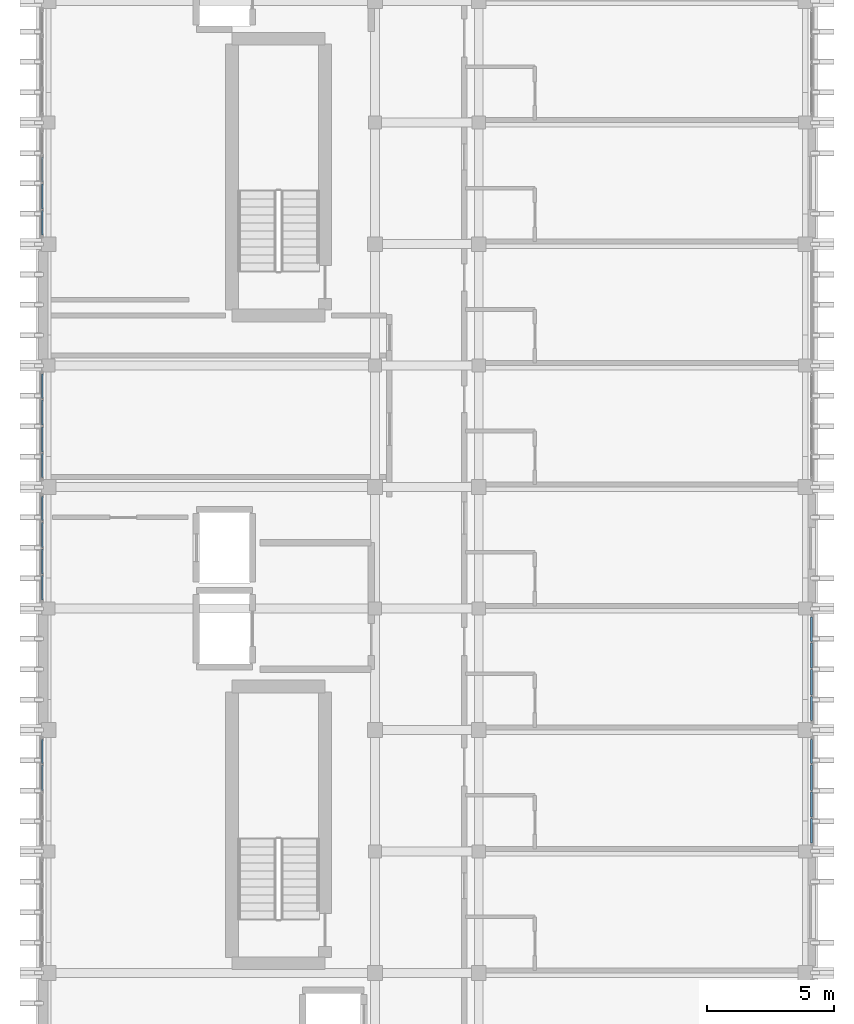
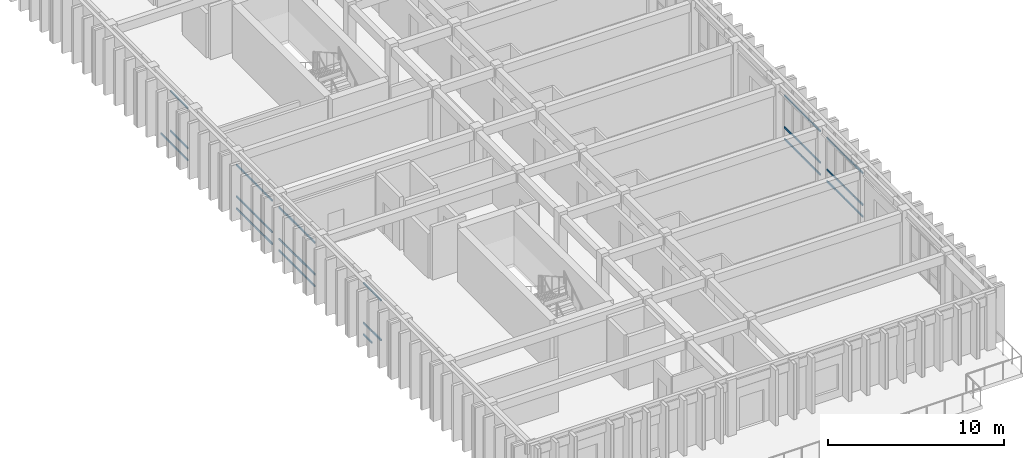
# One storey, part 35 of 49: 60 members, 6 elements without a shape of their own.
"""IFC4 building model written with IfcOpenShell, lengths in metres."""

from ifc_helpers import new_model, si_unit, direction, frame, origin, origin_2d, place, context, subcontext, project, spatial, hollow_rectangle, extrude, material, layer, layer_set, material_profile, profile_set, type_object, element, aggregate, save


model = new_model("IFC4")

# Units and contexts
model_context = context("Model", 3, precision=1e-05, world=origin(), true_north=direction((0.0, 1.0)))
body_context = subcontext(model_context, "Body", "Model", "MODEL_VIEW")
ifc_project = project(units=[si_unit("LENGTHUNIT", "METRE"), si_unit("AREAUNIT", "SQUARE_METRE"), si_unit("VOLUMEUNIT", "CUBIC_METRE"), si_unit("PLANEANGLEUNIT", "RADIAN"), si_unit("MASSUNIT", "GRAM", prefix="KILO")], contexts=[model_context])

# Site, building, storey
site_placement = place(None, origin())
site = spatial("IfcSite", under=ifc_project, at=site_placement, CompositionType="ELEMENT")
building_placement = place(site_placement, origin())
building = spatial("IfcBuilding", under=site, at=building_placement, Name="Nakhvara Creek Congress Hotel", CompositionType="ELEMENT")
storey_placement = place(building_placement, frame((0.0, 0.0, 46.5)))
storey = spatial("IfcBuildingStorey", under=building, at=storey_placement, Name="L11", CompositionType="ELEMENT", Elevation=46.5)

# Curtain wall, members
ifc_material_1 = material(Name="Bronze-anodised aluminium AW-6063-T6 and double-silver low-E glass", Category="aluminium")
ifc_layer = layer(ifc_material_1, 0.199951171875)
ifc_layer_set = layer_set([ifc_layer], Name="Bronze-anodised aluminium AW-6063-T6 and double-silver low-E glass")
curtain_wall_type = type_object("IfcCurtainWallType", Name="CW-HTL-UNIT", PredefinedType="USERDEFINED", material=ifc_layer_set)
curtain_wall_1_placement = place(storey_placement, origin())
curtain_wall_1 = element("IfcCurtainWall", 1, at=curtain_wall_1_placement, inside=storey, type_object=curtain_wall_type, Name="Curtain Wall CW336", ObjectType="UNITISED", PredefinedType="USERDEFINED")
ifc_material_2 = material(Name="Bronze-anodised aluminium AW-6063-T6", Category="aluminium")
ifc_material_profile = material_profile(ifc_material_2, hollow_rectangle(XDim=0.06494140625, YDim=0.1201171875, WallThickness=0.00390625, at=origin_2d()), Name="ALU-TRAN 65x120x4", Category="LoadBearing")
ifc_profile_set = profile_set([ifc_material_profile], Name="Bronze-anodised aluminium AW-6063-T6")
member_type = type_object("IfcMemberType", Name="CW-TRAN-120", PredefinedType="USERDEFINED", material=ifc_profile_set)
member_1_placement = place(storey_placement, frame((179.60009765625, 86.030029296875, 0.032470703125), z_axis=(0.0, -1.0, 0.0), x_axis=(1.0, 0.0, 0.0)))
member_1 = element("IfcMember", 2, at=member_1_placement, type_object=member_type, Name="CW336 transom 1.1", ObjectType="TRANSOM", PredefinedType="USERDEFINED", context=body_context, shape_type="SweptSolid", body=[
    extrude(hollow_rectangle(XDim=0.06494140625, YDim=0.1201171875, WallThickness=0.00390625, at=origin_2d()), origin(), (0.0, 0.0, 1.0), 0.95751953125),
])
member_2_placement = place(storey_placement, frame((179.60009765625, 86.030029296875, 0.85009765625), z_axis=(0.0, -1.0, 0.0), x_axis=(1.0, 0.0, 0.0)))
member_2 = element("IfcMember", 3, at=member_2_placement, type_object=member_type, Name="CW336 transom 1.2", ObjectType="TRANSOM", PredefinedType="USERDEFINED", context=body_context, shape_type="SweptSolid", body=[
    extrude(hollow_rectangle(XDim=0.06494140625, YDim=0.1201171875, WallThickness=0.00390625, at=origin_2d()), origin(), (0.0, 0.0, 1.0), 0.95751953125),
])
member_3_placement = place(storey_placement, frame((179.60009765625, 86.030029296875, 3.03955078125), z_axis=(0.0, -1.0, 0.0), x_axis=(1.0, 0.0, 0.0)))
member_3 = element("IfcMember", 4, at=member_3_placement, type_object=member_type, Name="CW336 transom 1.3", ObjectType="TRANSOM", PredefinedType="USERDEFINED", context=body_context, shape_type="SweptSolid", body=[
    extrude(hollow_rectangle(XDim=0.06494140625, YDim=0.1201171875, WallThickness=0.00390625, at=origin_2d()), origin(), (0.0, 0.0, 1.0), 0.95751953125),
])
member_4_placement = place(storey_placement, frame((179.60009765625, 85.007568359375, 0.032470703125), z_axis=(0.0, -1.0, 0.0), x_axis=(1.0, 0.0, 0.0)))
member_4 = element("IfcMember", 5, at=member_4_placement, type_object=member_type, Name="CW336 transom 2.1", ObjectType="TRANSOM", PredefinedType="USERDEFINED", context=body_context, shape_type="SweptSolid", body=[
    extrude(hollow_rectangle(XDim=0.06494140625, YDim=0.1201171875, WallThickness=0.00390625, at=origin_2d()), origin(), (0.0, 0.0, 1.0), 0.989990234375),
])
member_5_placement = place(storey_placement, frame((179.60009765625, 85.007568359375, 0.85009765625), z_axis=(0.0, -1.0, 0.0), x_axis=(1.0, 0.0, 0.0)))
member_5 = element("IfcMember", 6, at=member_5_placement, type_object=member_type, Name="CW336 transom 2.2", ObjectType="TRANSOM", PredefinedType="USERDEFINED", context=body_context, shape_type="SweptSolid", body=[
    extrude(hollow_rectangle(XDim=0.06494140625, YDim=0.1201171875, WallThickness=0.00390625, at=origin_2d()), origin(), (0.0, 0.0, 1.0), 0.989990234375),
])
member_6_placement = place(storey_placement, frame((179.60009765625, 85.007568359375, 3.03955078125), z_axis=(0.0, -1.0, 0.0), x_axis=(1.0, 0.0, 0.0)))
member_6 = element("IfcMember", 7, at=member_6_placement, type_object=member_type, Name="CW336 transom 2.3", ObjectType="TRANSOM", PredefinedType="USERDEFINED", context=body_context, shape_type="SweptSolid", body=[
    extrude(hollow_rectangle(XDim=0.06494140625, YDim=0.1201171875, WallThickness=0.00390625, at=origin_2d()), origin(), (0.0, 0.0, 1.0), 0.989990234375),
])
member_7_placement = place(storey_placement, frame((179.60009765625, 83.952392578125, 0.032470703125), z_axis=(0.0, -1.0, 0.0), x_axis=(1.0, 0.0, 0.0)))
member_7 = element("IfcMember", 8, at=member_7_placement, type_object=member_type, Name="CW336 transom 3.1", ObjectType="TRANSOM", PredefinedType="USERDEFINED", context=body_context, shape_type="SweptSolid", body=[
    extrude(hollow_rectangle(XDim=0.06494140625, YDim=0.1201171875, WallThickness=0.00390625, at=origin_2d()), origin(), (0.0, 0.0, 1.0), 0.989990234375),
])
member_8_placement = place(storey_placement, frame((179.60009765625, 83.952392578125, 0.85009765625), z_axis=(0.0, -1.0, 0.0), x_axis=(1.0, 0.0, 0.0)))
member_8 = element("IfcMember", 9, at=member_8_placement, type_object=member_type, Name="CW336 transom 3.2", ObjectType="TRANSOM", PredefinedType="USERDEFINED", context=body_context, shape_type="SweptSolid", body=[
    extrude(hollow_rectangle(XDim=0.06494140625, YDim=0.1201171875, WallThickness=0.00390625, at=origin_2d()), origin(), (0.0, 0.0, 1.0), 0.989990234375),
])
member_9_placement = place(storey_placement, frame((179.60009765625, 83.952392578125, 3.03955078125), z_axis=(0.0, -1.0, 0.0), x_axis=(1.0, 0.0, 0.0)))
member_9 = element("IfcMember", 10, at=member_9_placement, type_object=member_type, Name="CW336 transom 3.3", ObjectType="TRANSOM", PredefinedType="USERDEFINED", context=body_context, shape_type="SweptSolid", body=[
    extrude(hollow_rectangle(XDim=0.06494140625, YDim=0.1201171875, WallThickness=0.00390625, at=origin_2d()), origin(), (0.0, 0.0, 1.0), 0.989990234375),
])
member_10_placement = place(storey_placement, frame((179.60009765625, 82.8974609375, 0.032470703125), z_axis=(0.0, -1.0, 0.0), x_axis=(1.0, 0.0, 0.0)))
member_10 = element("IfcMember", 11, at=member_10_placement, type_object=member_type, Name="CW336 transom 4.1", ObjectType="TRANSOM", PredefinedType="USERDEFINED", context=body_context, shape_type="SweptSolid", body=[
    extrude(hollow_rectangle(XDim=0.06494140625, YDim=0.1201171875, WallThickness=0.00390625, at=origin_2d()), origin(), (0.0, 0.0, 1.0), 0.95751953125),
])
member_11_placement = place(storey_placement, frame((179.60009765625, 82.8974609375, 0.85009765625), z_axis=(0.0, -1.0, 0.0), x_axis=(1.0, 0.0, 0.0)))
member_11 = element("IfcMember", 12, at=member_11_placement, type_object=member_type, Name="CW336 transom 4.2", ObjectType="TRANSOM", PredefinedType="USERDEFINED", context=body_context, shape_type="SweptSolid", body=[
    extrude(hollow_rectangle(XDim=0.06494140625, YDim=0.1201171875, WallThickness=0.00390625, at=origin_2d()), origin(), (0.0, 0.0, 1.0), 0.95751953125),
])
member_12_placement = place(storey_placement, frame((179.60009765625, 82.8974609375, 3.03955078125), z_axis=(0.0, -1.0, 0.0), x_axis=(1.0, 0.0, 0.0)))
member_12 = element("IfcMember", 13, at=member_12_placement, type_object=member_type, Name="CW336 transom 4.3", ObjectType="TRANSOM", PredefinedType="USERDEFINED", context=body_context, shape_type="SweptSolid", body=[
    extrude(hollow_rectangle(XDim=0.06494140625, YDim=0.1201171875, WallThickness=0.00390625, at=origin_2d()), origin(), (0.0, 0.0, 1.0), 0.95751953125),
])
aggregate(curtain_wall_1, [member_1, member_2, member_3, member_4, member_5, member_6, member_7, member_8, member_9, member_10, member_11, member_12])

curtain_wall_2_placement = place(storey_placement, origin())
curtain_wall_2 = element("IfcCurtainWall", 14, at=curtain_wall_2_placement, inside=storey, type_object=curtain_wall_type, Name="Curtain Wall CW337", ObjectType="UNITISED", PredefinedType="USERDEFINED")
member_13_placement = place(storey_placement, frame((149.199951171875, 84.017578125, 0.85009765625), z_axis=(0.0, 1.0, 0.0), x_axis=(-1.0, 0.0, 0.0)))
member_13 = element("IfcMember", 15, at=member_13_placement, type_object=member_type, Name="CW337 transom 3.2", ObjectType="TRANSOM", PredefinedType="USERDEFINED", context=body_context, shape_type="SweptSolid", body=[
    extrude(hollow_rectangle(XDim=0.06494140625, YDim=0.1201171875, WallThickness=0.00390625, at=origin_2d()), origin(), (0.0, 0.0, 1.0), 0.989990234375),
])
member_14_placement = place(storey_placement, frame((149.199951171875, 84.017578125, 3.617431640625), z_axis=(0.0, 1.0, 0.0), x_axis=(-1.0, 0.0, 0.0)))
member_14 = element("IfcMember", 16, at=member_14_placement, type_object=member_type, Name="CW337 transom 3.3", ObjectType="TRANSOM", PredefinedType="USERDEFINED", context=body_context, shape_type="SweptSolid", body=[
    extrude(hollow_rectangle(XDim=0.06494140625, YDim=0.1201171875, WallThickness=0.00390625, at=origin_2d()), origin(), (0.0, 0.0, 1.0), 0.989990234375),
])
member_15_placement = place(storey_placement, frame((149.199951171875, 85.072509765625, 0.032470703125), z_axis=(0.0, 1.0, 0.0), x_axis=(-1.0, 0.0, 0.0)))
member_15 = element("IfcMember", 17, at=member_15_placement, type_object=member_type, Name="CW337 transom 4.1", ObjectType="TRANSOM", PredefinedType="USERDEFINED", context=body_context, shape_type="SweptSolid", body=[
    extrude(hollow_rectangle(XDim=0.06494140625, YDim=0.1201171875, WallThickness=0.00390625, at=origin_2d()), origin(), (0.0, 0.0, 1.0), 0.95751953125),
])
member_16_placement = place(storey_placement, frame((149.199951171875, 85.072509765625, 0.85009765625), z_axis=(0.0, 1.0, 0.0), x_axis=(-1.0, 0.0, 0.0)))
member_16 = element("IfcMember", 18, at=member_16_placement, type_object=member_type, Name="CW337 transom 4.2", ObjectType="TRANSOM", PredefinedType="USERDEFINED", context=body_context, shape_type="SweptSolid", body=[
    extrude(hollow_rectangle(XDim=0.06494140625, YDim=0.1201171875, WallThickness=0.00390625, at=origin_2d()), origin(), (0.0, 0.0, 1.0), 0.95751953125),
])
member_17_placement = place(storey_placement, frame((149.199951171875, 85.072509765625, 3.617431640625), z_axis=(0.0, 1.0, 0.0), x_axis=(-1.0, 0.0, 0.0)))
member_17 = element("IfcMember", 19, at=member_17_placement, type_object=member_type, Name="CW337 transom 4.3", ObjectType="TRANSOM", PredefinedType="USERDEFINED", context=body_context, shape_type="SweptSolid", body=[
    extrude(hollow_rectangle(XDim=0.06494140625, YDim=0.1201171875, WallThickness=0.00390625, at=origin_2d()), origin(), (0.0, 0.0, 1.0), 0.95751953125),
])
aggregate(curtain_wall_2, [member_13, member_14, member_15, member_16, member_17])

curtain_wall_3_placement = place(storey_placement, origin())
curtain_wall_3 = element("IfcCurtainWall", 20, at=curtain_wall_3_placement, inside=storey, type_object=curtain_wall_type, Name="Curtain Wall CW338", ObjectType="UNITISED", PredefinedType="USERDEFINED")
member_18_placement = place(storey_placement, frame((179.60009765625, 90.860107421875, 0.032470703125), z_axis=(0.0, -1.0, 0.0), x_axis=(1.0, 0.0, 0.0)))
member_18 = element("IfcMember", 21, at=member_18_placement, type_object=member_type, Name="CW338 transom 1.1", ObjectType="TRANSOM", PredefinedType="USERDEFINED", context=body_context, shape_type="SweptSolid", body=[
    extrude(hollow_rectangle(XDim=0.06494140625, YDim=0.1201171875, WallThickness=0.00390625, at=origin_2d()), origin(), (0.0, 0.0, 1.0), 0.95751953125),
])
member_19_placement = place(storey_placement, frame((179.60009765625, 90.860107421875, 0.85009765625), z_axis=(0.0, -1.0, 0.0), x_axis=(1.0, 0.0, 0.0)))
member_19 = element("IfcMember", 22, at=member_19_placement, type_object=member_type, Name="CW338 transom 1.2", ObjectType="TRANSOM", PredefinedType="USERDEFINED", context=body_context, shape_type="SweptSolid", body=[
    extrude(hollow_rectangle(XDim=0.06494140625, YDim=0.1201171875, WallThickness=0.00390625, at=origin_2d()), origin(), (0.0, 0.0, 1.0), 0.95751953125),
])
member_20_placement = place(storey_placement, frame((179.60009765625, 90.860107421875, 3.03955078125), z_axis=(0.0, -1.0, 0.0), x_axis=(1.0, 0.0, 0.0)))
member_20 = element("IfcMember", 23, at=member_20_placement, type_object=member_type, Name="CW338 transom 1.3", ObjectType="TRANSOM", PredefinedType="USERDEFINED", context=body_context, shape_type="SweptSolid", body=[
    extrude(hollow_rectangle(XDim=0.06494140625, YDim=0.1201171875, WallThickness=0.00390625, at=origin_2d()), origin(), (0.0, 0.0, 1.0), 0.95751953125),
])
member_21_placement = place(storey_placement, frame((179.60009765625, 89.83740234375, 0.032470703125), z_axis=(0.0, -1.0, 0.0), x_axis=(1.0, 0.0, 0.0)))
member_21 = element("IfcMember", 24, at=member_21_placement, type_object=member_type, Name="CW338 transom 2.1", ObjectType="TRANSOM", PredefinedType="USERDEFINED", context=body_context, shape_type="SweptSolid", body=[
    extrude(hollow_rectangle(XDim=0.06494140625, YDim=0.1201171875, WallThickness=0.00390625, at=origin_2d()), origin(), (0.0, 0.0, 1.0), 0.989990234375),
])
member_22_placement = place(storey_placement, frame((179.60009765625, 89.83740234375, 0.85009765625), z_axis=(0.0, -1.0, 0.0), x_axis=(1.0, 0.0, 0.0)))
member_22 = element("IfcMember", 25, at=member_22_placement, type_object=member_type, Name="CW338 transom 2.2", ObjectType="TRANSOM", PredefinedType="USERDEFINED", context=body_context, shape_type="SweptSolid", body=[
    extrude(hollow_rectangle(XDim=0.06494140625, YDim=0.1201171875, WallThickness=0.00390625, at=origin_2d()), origin(), (0.0, 0.0, 1.0), 0.989990234375),
])
member_23_placement = place(storey_placement, frame((179.60009765625, 89.83740234375, 3.03955078125), z_axis=(0.0, -1.0, 0.0), x_axis=(1.0, 0.0, 0.0)))
member_23 = element("IfcMember", 26, at=member_23_placement, type_object=member_type, Name="CW338 transom 2.3", ObjectType="TRANSOM", PredefinedType="USERDEFINED", context=body_context, shape_type="SweptSolid", body=[
    extrude(hollow_rectangle(XDim=0.06494140625, YDim=0.1201171875, WallThickness=0.00390625, at=origin_2d()), origin(), (0.0, 0.0, 1.0), 0.989990234375),
])
member_24_placement = place(storey_placement, frame((179.60009765625, 88.782470703125, 0.032470703125), z_axis=(0.0, -1.0, 0.0), x_axis=(1.0, 0.0, 0.0)))
member_24 = element("IfcMember", 27, at=member_24_placement, type_object=member_type, Name="CW338 transom 3.1", ObjectType="TRANSOM", PredefinedType="USERDEFINED", context=body_context, shape_type="SweptSolid", body=[
    extrude(hollow_rectangle(XDim=0.06494140625, YDim=0.1201171875, WallThickness=0.00390625, at=origin_2d()), origin(), (0.0, 0.0, 1.0), 0.989990234375),
])
member_25_placement = place(storey_placement, frame((179.60009765625, 88.782470703125, 0.85009765625), z_axis=(0.0, -1.0, 0.0), x_axis=(1.0, 0.0, 0.0)))
member_25 = element("IfcMember", 28, at=member_25_placement, type_object=member_type, Name="CW338 transom 3.2", ObjectType="TRANSOM", PredefinedType="USERDEFINED", context=body_context, shape_type="SweptSolid", body=[
    extrude(hollow_rectangle(XDim=0.06494140625, YDim=0.1201171875, WallThickness=0.00390625, at=origin_2d()), origin(), (0.0, 0.0, 1.0), 0.989990234375),
])
member_26_placement = place(storey_placement, frame((179.60009765625, 88.782470703125, 3.03955078125), z_axis=(0.0, -1.0, 0.0), x_axis=(1.0, 0.0, 0.0)))
member_26 = element("IfcMember", 29, at=member_26_placement, type_object=member_type, Name="CW338 transom 3.3", ObjectType="TRANSOM", PredefinedType="USERDEFINED", context=body_context, shape_type="SweptSolid", body=[
    extrude(hollow_rectangle(XDim=0.06494140625, YDim=0.1201171875, WallThickness=0.00390625, at=origin_2d()), origin(), (0.0, 0.0, 1.0), 0.989990234375),
])
member_27_placement = place(storey_placement, frame((179.60009765625, 87.7275390625, 0.032470703125), z_axis=(0.0, -1.0, 0.0), x_axis=(1.0, 0.0, 0.0)))
member_27 = element("IfcMember", 30, at=member_27_placement, type_object=member_type, Name="CW338 transom 4.1", ObjectType="TRANSOM", PredefinedType="USERDEFINED", context=body_context, shape_type="SweptSolid", body=[
    extrude(hollow_rectangle(XDim=0.06494140625, YDim=0.1201171875, WallThickness=0.00390625, at=origin_2d()), origin(), (0.0, 0.0, 1.0), 0.95751953125),
])
member_28_placement = place(storey_placement, frame((179.60009765625, 87.7275390625, 0.85009765625), z_axis=(0.0, -1.0, 0.0), x_axis=(1.0, 0.0, 0.0)))
member_28 = element("IfcMember", 31, at=member_28_placement, type_object=member_type, Name="CW338 transom 4.2", ObjectType="TRANSOM", PredefinedType="USERDEFINED", context=body_context, shape_type="SweptSolid", body=[
    extrude(hollow_rectangle(XDim=0.06494140625, YDim=0.1201171875, WallThickness=0.00390625, at=origin_2d()), origin(), (0.0, 0.0, 1.0), 0.95751953125),
])
member_29_placement = place(storey_placement, frame((179.60009765625, 87.7275390625, 3.03955078125), z_axis=(0.0, -1.0, 0.0), x_axis=(1.0, 0.0, 0.0)))
member_29 = element("IfcMember", 32, at=member_29_placement, type_object=member_type, Name="CW338 transom 4.3", ObjectType="TRANSOM", PredefinedType="USERDEFINED", context=body_context, shape_type="SweptSolid", body=[
    extrude(hollow_rectangle(XDim=0.06494140625, YDim=0.1201171875, WallThickness=0.00390625, at=origin_2d()), origin(), (0.0, 0.0, 1.0), 0.95751953125),
])
aggregate(curtain_wall_3, [member_18, member_19, member_20, member_21, member_22, member_23, member_24, member_25, member_26, member_27, member_28, member_29])

curtain_wall_4_placement = place(storey_placement, origin())
curtain_wall_4 = element("IfcCurtainWall", 33, at=curtain_wall_4_placement, inside=storey, type_object=curtain_wall_type, Name="Curtain Wall CW339", ObjectType="UNITISED", PredefinedType="USERDEFINED")
member_30_placement = place(storey_placement, frame((149.199951171875, 91.5400390625, 0.032470703125), z_axis=(0.0, 1.0, 0.0), x_axis=(-1.0, 0.0, 0.0)))
member_30 = element("IfcMember", 34, at=member_30_placement, type_object=member_type, Name="CW339 transom 1.1", ObjectType="TRANSOM", PredefinedType="USERDEFINED", context=body_context, shape_type="SweptSolid", body=[
    extrude(hollow_rectangle(XDim=0.06494140625, YDim=0.1201171875, WallThickness=0.00390625, at=origin_2d()), origin(), (0.0, 0.0, 1.0), 0.95751953125),
])
member_31_placement = place(storey_placement, frame((149.199951171875, 91.5400390625, 0.85009765625), z_axis=(0.0, 1.0, 0.0), x_axis=(-1.0, 0.0, 0.0)))
member_31 = element("IfcMember", 35, at=member_31_placement, type_object=member_type, Name="CW339 transom 1.2", ObjectType="TRANSOM", PredefinedType="USERDEFINED", context=body_context, shape_type="SweptSolid", body=[
    extrude(hollow_rectangle(XDim=0.06494140625, YDim=0.1201171875, WallThickness=0.00390625, at=origin_2d()), origin(), (0.0, 0.0, 1.0), 0.95751953125),
])
member_32_placement = place(storey_placement, frame((149.199951171875, 91.5400390625, 3.03955078125), z_axis=(0.0, 1.0, 0.0), x_axis=(-1.0, 0.0, 0.0)))
member_32 = element("IfcMember", 36, at=member_32_placement, type_object=member_type, Name="CW339 transom 1.3", ObjectType="TRANSOM", PredefinedType="USERDEFINED", context=body_context, shape_type="SweptSolid", body=[
    extrude(hollow_rectangle(XDim=0.06494140625, YDim=0.1201171875, WallThickness=0.00390625, at=origin_2d()), origin(), (0.0, 0.0, 1.0), 0.95751953125),
])
member_33_placement = place(storey_placement, frame((149.199951171875, 92.5625, 0.032470703125), z_axis=(0.0, 1.0, 0.0), x_axis=(-1.0, 0.0, 0.0)))
member_33 = element("IfcMember", 37, at=member_33_placement, type_object=member_type, Name="CW339 transom 2.1", ObjectType="TRANSOM", PredefinedType="USERDEFINED", context=body_context, shape_type="SweptSolid", body=[
    extrude(hollow_rectangle(XDim=0.06494140625, YDim=0.1201171875, WallThickness=0.00390625, at=origin_2d()), origin(), (0.0, 0.0, 1.0), 0.989990234375),
])
member_34_placement = place(storey_placement, frame((149.199951171875, 92.5625, 0.85009765625), z_axis=(0.0, 1.0, 0.0), x_axis=(-1.0, 0.0, 0.0)))
member_34 = element("IfcMember", 38, at=member_34_placement, type_object=member_type, Name="CW339 transom 2.2", ObjectType="TRANSOM", PredefinedType="USERDEFINED", context=body_context, shape_type="SweptSolid", body=[
    extrude(hollow_rectangle(XDim=0.06494140625, YDim=0.1201171875, WallThickness=0.00390625, at=origin_2d()), origin(), (0.0, 0.0, 1.0), 0.989990234375),
])
member_35_placement = place(storey_placement, frame((149.199951171875, 92.5625, 3.03955078125), z_axis=(0.0, 1.0, 0.0), x_axis=(-1.0, 0.0, 0.0)))
member_35 = element("IfcMember", 39, at=member_35_placement, type_object=member_type, Name="CW339 transom 2.3", ObjectType="TRANSOM", PredefinedType="USERDEFINED", context=body_context, shape_type="SweptSolid", body=[
    extrude(hollow_rectangle(XDim=0.06494140625, YDim=0.1201171875, WallThickness=0.00390625, at=origin_2d()), origin(), (0.0, 0.0, 1.0), 0.989990234375),
])
member_36_placement = place(storey_placement, frame((149.199951171875, 93.617431640625, 0.032470703125), z_axis=(0.0, 1.0, 0.0), x_axis=(-1.0, 0.0, 0.0)))
member_36 = element("IfcMember", 40, at=member_36_placement, type_object=member_type, Name="CW339 transom 3.1", ObjectType="TRANSOM", PredefinedType="USERDEFINED", context=body_context, shape_type="SweptSolid", body=[
    extrude(hollow_rectangle(XDim=0.06494140625, YDim=0.1201171875, WallThickness=0.00390625, at=origin_2d()), origin(), (0.0, 0.0, 1.0), 0.989990234375),
])
member_37_placement = place(storey_placement, frame((149.199951171875, 93.617431640625, 0.85009765625), z_axis=(0.0, 1.0, 0.0), x_axis=(-1.0, 0.0, 0.0)))
member_37 = element("IfcMember", 41, at=member_37_placement, type_object=member_type, Name="CW339 transom 3.2", ObjectType="TRANSOM", PredefinedType="USERDEFINED", context=body_context, shape_type="SweptSolid", body=[
    extrude(hollow_rectangle(XDim=0.06494140625, YDim=0.1201171875, WallThickness=0.00390625, at=origin_2d()), origin(), (0.0, 0.0, 1.0), 0.989990234375),
])
member_38_placement = place(storey_placement, frame((149.199951171875, 93.617431640625, 3.03955078125), z_axis=(0.0, 1.0, 0.0), x_axis=(-1.0, 0.0, 0.0)))
member_38 = element("IfcMember", 42, at=member_38_placement, type_object=member_type, Name="CW339 transom 3.3", ObjectType="TRANSOM", PredefinedType="USERDEFINED", context=body_context, shape_type="SweptSolid", body=[
    extrude(hollow_rectangle(XDim=0.06494140625, YDim=0.1201171875, WallThickness=0.00390625, at=origin_2d()), origin(), (0.0, 0.0, 1.0), 0.989990234375),
])
member_39_placement = place(storey_placement, frame((149.199951171875, 94.672607421875, 0.032470703125), z_axis=(0.0, 1.0, 0.0), x_axis=(-1.0, 0.0, 0.0)))
member_39 = element("IfcMember", 43, at=member_39_placement, type_object=member_type, Name="CW339 transom 4.1", ObjectType="TRANSOM", PredefinedType="USERDEFINED", context=body_context, shape_type="SweptSolid", body=[
    extrude(hollow_rectangle(XDim=0.06494140625, YDim=0.1201171875, WallThickness=0.00390625, at=origin_2d()), origin(), (0.0, 0.0, 1.0), 0.957275390625),
])
member_40_placement = place(storey_placement, frame((149.199951171875, 94.672607421875, 0.85009765625), z_axis=(0.0, 1.0, 0.0), x_axis=(-1.0, 0.0, 0.0)))
member_40 = element("IfcMember", 44, at=member_40_placement, type_object=member_type, Name="CW339 transom 4.2", ObjectType="TRANSOM", PredefinedType="USERDEFINED", context=body_context, shape_type="SweptSolid", body=[
    extrude(hollow_rectangle(XDim=0.06494140625, YDim=0.1201171875, WallThickness=0.00390625, at=origin_2d()), origin(), (0.0, 0.0, 1.0), 0.957275390625),
])
member_41_placement = place(storey_placement, frame((149.199951171875, 94.672607421875, 3.03955078125), z_axis=(0.0, 1.0, 0.0), x_axis=(-1.0, 0.0, 0.0)))
member_41 = element("IfcMember", 45, at=member_41_placement, type_object=member_type, Name="CW339 transom 4.3", ObjectType="TRANSOM", PredefinedType="USERDEFINED", context=body_context, shape_type="SweptSolid", body=[
    extrude(hollow_rectangle(XDim=0.06494140625, YDim=0.1201171875, WallThickness=0.00390625, at=origin_2d()), origin(), (0.0, 0.0, 1.0), 0.957275390625),
])
aggregate(curtain_wall_4, [member_30, member_31, member_32, member_33, member_34, member_35, member_36, member_37, member_38, member_39, member_40, member_41])

curtain_wall_5_placement = place(storey_placement, origin())
curtain_wall_5 = element("IfcCurtainWall", 46, at=curtain_wall_5_placement, inside=storey, type_object=curtain_wall_type, Name="Curtain Wall CW341", ObjectType="UNITISED", PredefinedType="USERDEFINED")
member_42_placement = place(storey_placement, frame((149.199951171875, 96.3701171875, 0.032470703125), z_axis=(0.0, 1.0, 0.0), x_axis=(-1.0, 0.0, 0.0)))
member_42 = element("IfcMember", 47, at=member_42_placement, type_object=member_type, Name="CW341 transom 1.1", ObjectType="TRANSOM", PredefinedType="USERDEFINED", context=body_context, shape_type="SweptSolid", body=[
    extrude(hollow_rectangle(XDim=0.06494140625, YDim=0.1201171875, WallThickness=0.00390625, at=origin_2d()), origin(), (0.0, 0.0, 1.0), 0.957275390625),
])
member_43_placement = place(storey_placement, frame((149.199951171875, 96.3701171875, 0.85009765625), z_axis=(0.0, 1.0, 0.0), x_axis=(-1.0, 0.0, 0.0)))
member_43 = element("IfcMember", 48, at=member_43_placement, type_object=member_type, Name="CW341 transom 1.2", ObjectType="TRANSOM", PredefinedType="USERDEFINED", context=body_context, shape_type="SweptSolid", body=[
    extrude(hollow_rectangle(XDim=0.06494140625, YDim=0.1201171875, WallThickness=0.00390625, at=origin_2d()), origin(), (0.0, 0.0, 1.0), 0.957275390625),
])
member_44_placement = place(storey_placement, frame((149.199951171875, 96.3701171875, 3.03955078125), z_axis=(0.0, 1.0, 0.0), x_axis=(-1.0, 0.0, 0.0)))
member_44 = element("IfcMember", 49, at=member_44_placement, type_object=member_type, Name="CW341 transom 1.3", ObjectType="TRANSOM", PredefinedType="USERDEFINED", context=body_context, shape_type="SweptSolid", body=[
    extrude(hollow_rectangle(XDim=0.06494140625, YDim=0.1201171875, WallThickness=0.00390625, at=origin_2d()), origin(), (0.0, 0.0, 1.0), 0.957275390625),
])
member_45_placement = place(storey_placement, frame((149.199951171875, 97.392578125, 0.032470703125), z_axis=(0.0, 1.0, 0.0), x_axis=(-1.0, 0.0, 0.0)))
member_45 = element("IfcMember", 50, at=member_45_placement, type_object=member_type, Name="CW341 transom 2.1", ObjectType="TRANSOM", PredefinedType="USERDEFINED", context=body_context, shape_type="SweptSolid", body=[
    extrude(hollow_rectangle(XDim=0.06494140625, YDim=0.1201171875, WallThickness=0.00390625, at=origin_2d()), origin(), (0.0, 0.0, 1.0), 0.989990234375),
])
member_46_placement = place(storey_placement, frame((149.199951171875, 97.392578125, 0.85009765625), z_axis=(0.0, 1.0, 0.0), x_axis=(-1.0, 0.0, 0.0)))
member_46 = element("IfcMember", 51, at=member_46_placement, type_object=member_type, Name="CW341 transom 2.2", ObjectType="TRANSOM", PredefinedType="USERDEFINED", context=body_context, shape_type="SweptSolid", body=[
    extrude(hollow_rectangle(XDim=0.06494140625, YDim=0.1201171875, WallThickness=0.00390625, at=origin_2d()), origin(), (0.0, 0.0, 1.0), 0.989990234375),
])
member_47_placement = place(storey_placement, frame((149.199951171875, 97.392578125, 3.03955078125), z_axis=(0.0, 1.0, 0.0), x_axis=(-1.0, 0.0, 0.0)))
member_47 = element("IfcMember", 52, at=member_47_placement, type_object=member_type, Name="CW341 transom 2.3", ObjectType="TRANSOM", PredefinedType="USERDEFINED", context=body_context, shape_type="SweptSolid", body=[
    extrude(hollow_rectangle(XDim=0.06494140625, YDim=0.1201171875, WallThickness=0.00390625, at=origin_2d()), origin(), (0.0, 0.0, 1.0), 0.989990234375),
])
member_48_placement = place(storey_placement, frame((149.199951171875, 98.447509765625, 0.032470703125), z_axis=(0.0, 1.0, 0.0), x_axis=(-1.0, 0.0, 0.0)))
member_48 = element("IfcMember", 53, at=member_48_placement, type_object=member_type, Name="CW341 transom 3.1", ObjectType="TRANSOM", PredefinedType="USERDEFINED", context=body_context, shape_type="SweptSolid", body=[
    extrude(hollow_rectangle(XDim=0.06494140625, YDim=0.1201171875, WallThickness=0.00390625, at=origin_2d()), origin(), (0.0, 0.0, 1.0), 0.989990234375),
])
member_49_placement = place(storey_placement, frame((149.199951171875, 98.447509765625, 0.85009765625), z_axis=(0.0, 1.0, 0.0), x_axis=(-1.0, 0.0, 0.0)))
member_49 = element("IfcMember", 54, at=member_49_placement, type_object=member_type, Name="CW341 transom 3.2", ObjectType="TRANSOM", PredefinedType="USERDEFINED", context=body_context, shape_type="SweptSolid", body=[
    extrude(hollow_rectangle(XDim=0.06494140625, YDim=0.1201171875, WallThickness=0.00390625, at=origin_2d()), origin(), (0.0, 0.0, 1.0), 0.989990234375),
])
member_50_placement = place(storey_placement, frame((149.199951171875, 98.447509765625, 3.03955078125), z_axis=(0.0, 1.0, 0.0), x_axis=(-1.0, 0.0, 0.0)))
member_50 = element("IfcMember", 55, at=member_50_placement, type_object=member_type, Name="CW341 transom 3.3", ObjectType="TRANSOM", PredefinedType="USERDEFINED", context=body_context, shape_type="SweptSolid", body=[
    extrude(hollow_rectangle(XDim=0.06494140625, YDim=0.1201171875, WallThickness=0.00390625, at=origin_2d()), origin(), (0.0, 0.0, 1.0), 0.989990234375),
])
member_51_placement = place(storey_placement, frame((149.199951171875, 99.50244140625, 0.032470703125), z_axis=(0.0, 1.0, 0.0), x_axis=(-1.0, 0.0, 0.0)))
member_51 = element("IfcMember", 56, at=member_51_placement, type_object=member_type, Name="CW341 transom 4.1", ObjectType="TRANSOM", PredefinedType="USERDEFINED", context=body_context, shape_type="SweptSolid", body=[
    extrude(hollow_rectangle(XDim=0.06494140625, YDim=0.1201171875, WallThickness=0.00390625, at=origin_2d()), origin(), (0.0, 0.0, 1.0), 0.95751953125),
])
member_52_placement = place(storey_placement, frame((149.199951171875, 99.50244140625, 0.85009765625), z_axis=(0.0, 1.0, 0.0), x_axis=(-1.0, 0.0, 0.0)))
member_52 = element("IfcMember", 57, at=member_52_placement, type_object=member_type, Name="CW341 transom 4.2", ObjectType="TRANSOM", PredefinedType="USERDEFINED", context=body_context, shape_type="SweptSolid", body=[
    extrude(hollow_rectangle(XDim=0.06494140625, YDim=0.1201171875, WallThickness=0.00390625, at=origin_2d()), origin(), (0.0, 0.0, 1.0), 0.95751953125),
])
member_53_placement = place(storey_placement, frame((149.199951171875, 99.50244140625, 3.03955078125), z_axis=(0.0, 1.0, 0.0), x_axis=(-1.0, 0.0, 0.0)))
member_53 = element("IfcMember", 58, at=member_53_placement, type_object=member_type, Name="CW341 transom 4.3", ObjectType="TRANSOM", PredefinedType="USERDEFINED", context=body_context, shape_type="SweptSolid", body=[
    extrude(hollow_rectangle(XDim=0.06494140625, YDim=0.1201171875, WallThickness=0.00390625, at=origin_2d()), origin(), (0.0, 0.0, 1.0), 0.95751953125),
])
aggregate(curtain_wall_5, [member_42, member_43, member_44, member_45, member_46, member_47, member_48, member_49, member_50, member_51, member_52, member_53])

curtain_wall_6_placement = place(storey_placement, origin())
curtain_wall_6 = element("IfcCurtainWall", 59, at=curtain_wall_6_placement, inside=storey, type_object=curtain_wall_type, Name="Curtain Wall CW343", ObjectType="UNITISED", PredefinedType="USERDEFINED")
member_54_placement = place(storey_placement, frame((149.199951171875, 105.969970703125, 0.032470703125), z_axis=(0.0, 1.0, 0.0), x_axis=(-1.0, 0.0, 0.0)))
member_54 = element("IfcMember", 60, at=member_54_placement, type_object=member_type, Name="CW343 transom 1.1", ObjectType="TRANSOM", PredefinedType="USERDEFINED", context=body_context, shape_type="SweptSolid", body=[
    extrude(hollow_rectangle(XDim=0.06494140625, YDim=0.1201171875, WallThickness=0.00390625, at=origin_2d()), origin(), (0.0, 0.0, 1.0), 0.95751953125),
])
member_55_placement = place(storey_placement, frame((149.199951171875, 105.969970703125, 0.85009765625), z_axis=(0.0, 1.0, 0.0), x_axis=(-1.0, 0.0, 0.0)))
member_55 = element("IfcMember", 61, at=member_55_placement, type_object=member_type, Name="CW343 transom 1.2", ObjectType="TRANSOM", PredefinedType="USERDEFINED", context=body_context, shape_type="SweptSolid", body=[
    extrude(hollow_rectangle(XDim=0.06494140625, YDim=0.1201171875, WallThickness=0.00390625, at=origin_2d()), origin(), (0.0, 0.0, 1.0), 0.95751953125),
])
member_56_placement = place(storey_placement, frame((149.199951171875, 105.969970703125, 3.617431640625), z_axis=(0.0, 1.0, 0.0), x_axis=(-1.0, 0.0, 0.0)))
member_56 = element("IfcMember", 62, at=member_56_placement, type_object=member_type, Name="CW343 transom 1.3", ObjectType="TRANSOM", PredefinedType="USERDEFINED", context=body_context, shape_type="SweptSolid", body=[
    extrude(hollow_rectangle(XDim=0.06494140625, YDim=0.1201171875, WallThickness=0.00390625, at=origin_2d()), origin(), (0.0, 0.0, 1.0), 0.95751953125),
])
member_57_placement = place(storey_placement, frame((149.199951171875, 106.992431640625, 0.032470703125), z_axis=(0.0, 1.0, 0.0), x_axis=(-1.0, 0.0, 0.0)))
member_57 = element("IfcMember", 63, at=member_57_placement, type_object=member_type, Name="CW343 transom 2.1", ObjectType="TRANSOM", PredefinedType="USERDEFINED", context=body_context, shape_type="SweptSolid", body=[
    extrude(hollow_rectangle(XDim=0.06494140625, YDim=0.1201171875, WallThickness=0.00390625, at=origin_2d()), origin(), (0.0, 0.0, 1.0), 0.989990234375),
])
member_58_placement = place(storey_placement, frame((149.199951171875, 106.992431640625, 0.85009765625), z_axis=(0.0, 1.0, 0.0), x_axis=(-1.0, 0.0, 0.0)))
member_58 = element("IfcMember", 64, at=member_58_placement, type_object=member_type, Name="CW343 transom 2.2", ObjectType="TRANSOM", PredefinedType="USERDEFINED", context=body_context, shape_type="SweptSolid", body=[
    extrude(hollow_rectangle(XDim=0.06494140625, YDim=0.1201171875, WallThickness=0.00390625, at=origin_2d()), origin(), (0.0, 0.0, 1.0), 0.989990234375),
])
member_59_placement = place(storey_placement, frame((149.199951171875, 106.992431640625, 3.617431640625), z_axis=(0.0, 1.0, 0.0), x_axis=(-1.0, 0.0, 0.0)))
member_59 = element("IfcMember", 65, at=member_59_placement, type_object=member_type, Name="CW343 transom 2.3", ObjectType="TRANSOM", PredefinedType="USERDEFINED", context=body_context, shape_type="SweptSolid", body=[
    extrude(hollow_rectangle(XDim=0.06494140625, YDim=0.1201171875, WallThickness=0.00390625, at=origin_2d()), origin(), (0.0, 0.0, 1.0), 0.989990234375),
])
member_60_placement = place(storey_placement, frame((149.199951171875, 108.047607421875, 0.032470703125), z_axis=(0.0, 1.0, 0.0), x_axis=(-1.0, 0.0, 0.0)))
member_60 = element("IfcMember", 66, at=member_60_placement, type_object=member_type, Name="CW343 transom 3.1", ObjectType="TRANSOM", PredefinedType="USERDEFINED", context=body_context, shape_type="SweptSolid", body=[
    extrude(hollow_rectangle(XDim=0.06494140625, YDim=0.1201171875, WallThickness=0.00390625, at=origin_2d()), origin(), (0.0, 0.0, 1.0), 0.989990234375),
])
aggregate(curtain_wall_6, [member_54, member_55, member_56, member_57, member_58, member_59, member_60])

save(model, "model.ifc")
